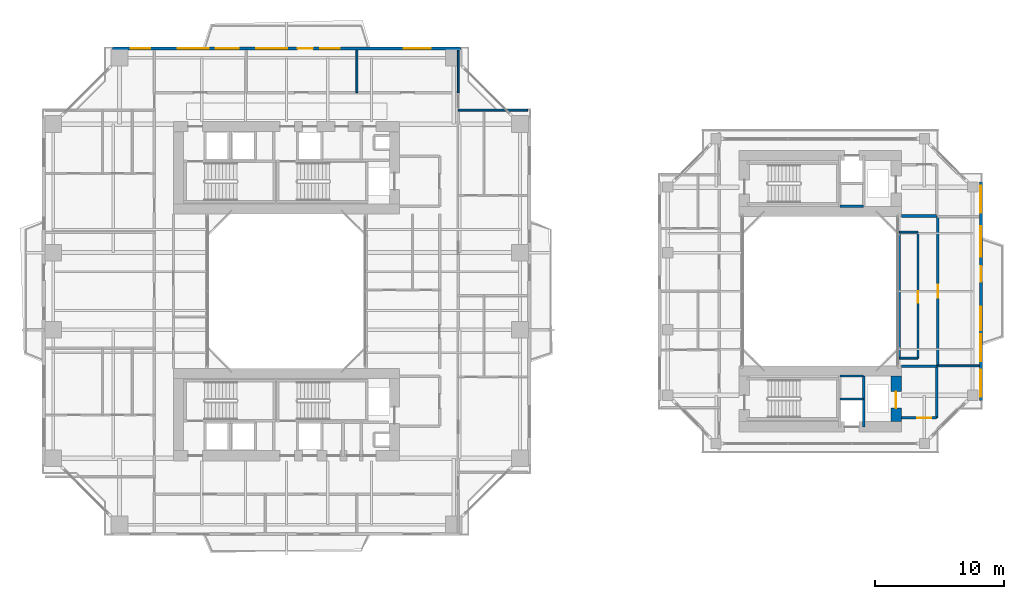
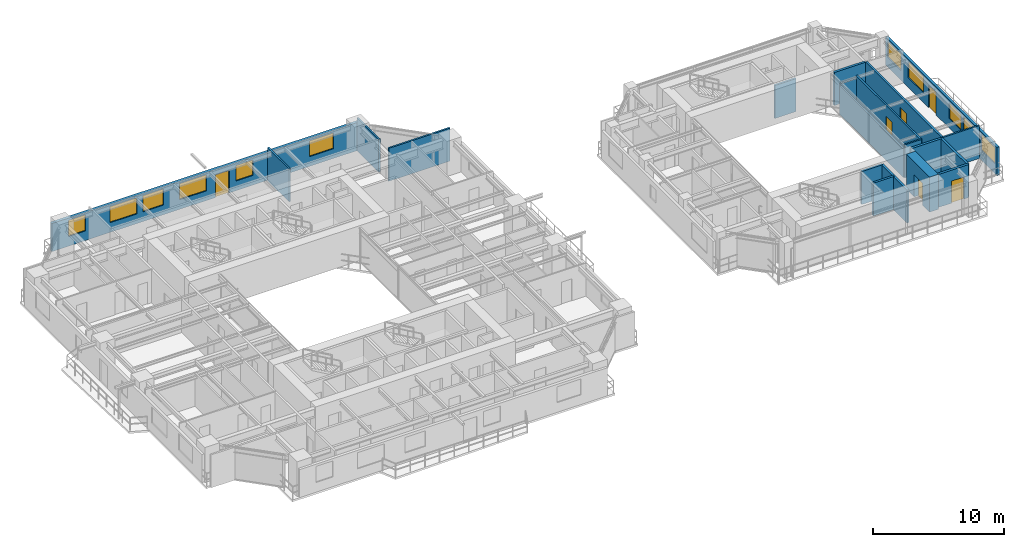
# One storey, part 18 of 23: 20 walls, 11 windows, 6 doors, 17 openings.
"""IFC4 building model written with IfcOpenShell, lengths in metres."""

from ifc_helpers import new_model, si_unit, direction, frame, frame_2d, origin, place, context, subcontext, project, spatial, rectangle, extrude, source, transform, mapped, material, layer, layer_set, type_object, element, fill, save


model = new_model("IFC4")

# Units and contexts
model_context = context("Model", 3, precision=1e-05, world=origin(), true_north=direction((0.0, 1.0)))
body_context = subcontext(model_context, "Body", "Model", "MODEL_VIEW")
ifc_project = project(units=[si_unit("LENGTHUNIT", "METRE"), si_unit("AREAUNIT", "SQUARE_METRE"), si_unit("VOLUMEUNIT", "CUBIC_METRE"), si_unit("PLANEANGLEUNIT", "RADIAN"), si_unit("MASSUNIT", "GRAM", prefix="KILO"), si_unit("THERMODYNAMICTEMPERATUREUNIT", "KELVIN"), si_unit("POWERUNIT", "WATT")], contexts=[model_context])

# Site, building, storey
site_placement = place(None, origin())
site = spatial("IfcSite", under=ifc_project, at=site_placement, CompositionType="ELEMENT")
building_placement = place(site_placement, origin())
building = spatial("IfcBuilding", under=site, at=building_placement, Name="Qiaomeng Ring Towers", CompositionType="ELEMENT")
storey_placement = place(building_placement, frame((0.0, 0.0, 86.0)))
storey = spatial("IfcBuildingStorey", under=building, at=storey_placement, Name="L24", CompositionType="ELEMENT", Elevation=86.0)

# Wall, openings, windows, door
ifc_material_1 = material(Name="Precast concrete C40", Category="concrete")
ifc_layer_1 = layer(ifc_material_1, 0.25, Name="Precast concrete C40")
ifc_layer_set_1 = layer_set([ifc_layer_1], Name="Precast concrete C40")
wall_type_1 = type_object("IfcWallType", Name="ARC-WL-EW1", PredefinedType="STANDARD", material=ifc_layer_set_1)
wall_1_placement = place(storey_placement, frame((5.449951171875, 41.875, 0.0), z_axis=(0.0, 0.0, 1.0), x_axis=(1.0, 0.0, 0.0)))
wall_1 = element("IfcWall", 1, at=wall_1_placement, inside=storey, type_object=wall_type_1, Name="L24 Tower 1 N Exterior Wall", PredefinedType="STANDARD", context=body_context, shape_type="SweptSolid", body=[
    extrude(rectangle(XDim=27.10009765625, YDim=0.25, at=frame_2d((13.550048828125, 0.0))), origin(), (0.0, 0.0, 1.0), 2.610107421875),
])
opening_1_placement = place(wall_1_placement, frame((14.39990234375, 0.0, 0.0)))
opening_1 = element("IfcOpeningElement", 2, at=opening_1_placement, cuts=wall_1, Name="Opening BD1", PredefinedType="OPENING", context=body_context, shape_type="SweptSolid", body=[
    extrude(rectangle(XDim=1.199951171875, YDim=2.10009765625, at=frame_2d((0.60009765625, 1.050048828125))), frame((0.0, 0.135009765625, 0.0), z_axis=(0.0, -1.0, 0.0), x_axis=(1.0, 0.0, 0.0)), (0.0, 0.0, 1.0), 0.27001953125),
])
opening_2_placement = place(wall_1_placement, frame((1.449951171875, 0.0, 0.89990234375)))
opening_2 = element("IfcOpeningElement", 3, at=opening_2_placement, cuts=wall_1, Name="Opening WN2", PredefinedType="OPENING", context=body_context, shape_type="SweptSolid", body=[
    extrude(rectangle(XDim=1.5, YDim=1.5, at=frame_2d((0.75, 0.75))), frame((0.0, 0.135009765625, 0.0), z_axis=(0.0, -1.0, 0.0), x_axis=(1.0, 0.0, 0.0)), (0.0, 0.0, 1.0), 0.27001953125),
])
opening_3_placement = place(wall_1_placement, frame((8.0244140625, 0.0, 0.89990234375)))
opening_3 = element("IfcOpeningElement", 4, at=opening_3_placement, cuts=wall_1, Name="Opening WN1", PredefinedType="OPENING", context=body_context, shape_type="SweptSolid", body=[
    extrude(rectangle(XDim=1.800048828125, YDim=1.5, at=frame_2d((0.89990234375, 0.75))), frame((0.0, 0.135009765625, 0.0), z_axis=(0.0, -1.0, 0.0), x_axis=(1.0, 0.0, 0.0)), (0.0, 0.0, 1.0), 0.27001953125),
])
opening_4_placement = place(wall_1_placement, frame((16.18798828125, 0.0, 0.89990234375)))
opening_4 = element("IfcOpeningElement", 5, at=opening_4_placement, cuts=wall_1, Name="Opening WN2", PredefinedType="OPENING", context=body_context, shape_type="SweptSolid", body=[
    extrude(rectangle(XDim=1.5, YDim=1.449951171875, at=frame_2d((0.75, 0.72509765625))), frame((0.0, 0.135009765625, 0.0), z_axis=(0.0, -1.0, 0.0), x_axis=(1.0, 0.0, 0.0)), (0.0, 0.0, 1.0), 0.27001953125),
])
opening_5_placement = place(wall_1_placement, frame((22.6630859375, 0.0, 0.89990234375)))
opening_5 = element("IfcOpeningElement", 6, at=opening_5_placement, cuts=wall_1, Name="Opening WN4", PredefinedType="OPENING", context=body_context, shape_type="SweptSolid", body=[
    extrude(rectangle(XDim=2.10009765625, YDim=1.47998046875, at=frame_2d((1.050048828125, 0.739990234375))), frame((0.0, 0.135009765625, 0.0), z_axis=(0.0, -1.0, 0.0), x_axis=(1.0, 0.0, 0.0)), (0.0, 0.0, 1.0), 0.27001953125),
])
opening_6_placement = place(wall_1_placement, frame((5.083984375, 0.0, 0.89990234375)))
opening_6 = element("IfcOpeningElement", 7, at=opening_6_placement, cuts=wall_1, Name="Opening WN6", PredefinedType="OPENING", context=body_context, shape_type="SweptSolid", body=[
    extrude(rectangle(XDim=2.39990234375, YDim=1.5, at=frame_2d((1.199951171875, 0.75))), frame((0.0, 0.135009765625, 0.0), z_axis=(0.0, -1.0, 0.0), x_axis=(1.0, 0.0, 0.0)), (0.0, 0.0, 1.0), 0.27001953125),
])
opening_7_placement = place(wall_1_placement, frame((11.20751953125, 0.0, 0.89990234375)))
opening_7 = element("IfcOpeningElement", 8, at=opening_7_placement, cuts=wall_1, Name="Opening WN6", PredefinedType="OPENING", context=body_context, shape_type="SweptSolid", body=[
    extrude(rectangle(XDim=2.39990234375, YDim=1.5, at=frame_2d((1.199951171875, 0.75))), frame((0.0, 0.135009765625, 0.0), z_axis=(0.0, -1.0, 0.0), x_axis=(1.0, 0.0, 0.0)), (0.0, 0.0, 1.0), 0.27001953125),
])
ifc_material_2 = material(Name="Low-E dark-grey laminated double glazing", Category="glass")
window_type_1 = type_object("IfcWindowType", Name="ARC-WN-2", PartitioningType="DOUBLE_PANEL_VERTICAL", PredefinedType="WINDOW", material=ifc_material_2)
shared_shape_1 = source(origin(), body_context, "Body", "SweptSolid", [
    extrude(rectangle(XDim=1.5, YDim=1.449951171875, at=frame_2d((0.75, 0.72509765625))), frame((0.0, 0.030029296875, 0.0), z_axis=(0.0, -1.0, 0.0), x_axis=(1.0, 0.0, 0.0)), (0.0, 0.0, 1.0), 0.06005859375),
])
window_1_placement = place(opening_4_placement, origin())
window_1 = element("IfcWindow", 9, at=window_1_placement, inside=storey, type_object=window_type_1, Name="L24 Exterior Window WN2", OverallHeight=1.449951171875, OverallWidth=1.5, PartitioningType="DOUBLE_PANEL_VERTICAL", PredefinedType="WINDOW", context=body_context, shape_type="MappedRepresentation", body=[
    mapped(shared_shape_1, transform((0.0, 0.0, 0.0), x_axis=(1.0, 0.0, 0.0), y_axis=(0.0, 1.0, 0.0), z_axis=(0.0, 0.0, 1.0), scale=1.0)),
])
fill(opening_4, window_1)
window_type_2 = type_object("IfcWindowType", Name="ARC-WN-4", PartitioningType="TRIPLE_PANEL_VERTICAL", PredefinedType="WINDOW", material=ifc_material_2)
shared_shape_2 = source(origin(), body_context, "Body", "SweptSolid", [
    extrude(rectangle(XDim=2.10009765625, YDim=1.47998046875, at=frame_2d((1.050048828125, 0.739990234375))), frame((0.0, 0.030029296875, 0.0), z_axis=(0.0, -1.0, 0.0), x_axis=(1.0, 0.0, 0.0)), (0.0, 0.0, 1.0), 0.06005859375),
])
window_2_placement = place(opening_5_placement, origin())
window_2 = element("IfcWindow", 10, at=window_2_placement, inside=storey, type_object=window_type_2, Name="L24 Exterior Window WN4", OverallHeight=1.47998046875, OverallWidth=2.10009765625, PartitioningType="TRIPLE_PANEL_VERTICAL", PredefinedType="WINDOW", context=body_context, shape_type="MappedRepresentation", body=[
    mapped(shared_shape_2, transform((0.0, 0.0, 0.0), x_axis=(1.0, 0.0, 0.0), y_axis=(0.0, 1.0, 0.0), z_axis=(0.0, 0.0, 1.0), scale=1.0)),
])
fill(opening_5, window_2)
door_type_1 = type_object("IfcDoorType", Name="ARC-DR-BD1", OperationType="NOTDEFINED", PredefinedType="DOOR", material=ifc_material_2)
shared_shape_3 = source(origin(), body_context, "Body", "SweptSolid", [
    extrude(rectangle(XDim=1.199951171875, YDim=2.10009765625, at=frame_2d((0.60009765625, 1.050048828125))), frame((0.0, 0.02490234375, 0.0), z_axis=(0.0, -1.0, 0.0), x_axis=(1.0, 0.0, 0.0)), (0.0, 0.0, 1.0), 0.050048828125),
])
door_1_placement = place(opening_1_placement, origin())
door_1 = element("IfcDoor", 11, at=door_1_placement, inside=storey, type_object=door_type_1, Name="L24 N Balcony Glazed Door", OperationType="SINGLE_SWING_LEFT", OverallHeight=2.10009765625, OverallWidth=1.199951171875, PredefinedType="DOOR", context=body_context, shape_type="MappedRepresentation", body=[
    mapped(shared_shape_3, transform((0.0, 0.0, 0.0), x_axis=(1.0, 0.0, 0.0), y_axis=(0.0, 1.0, 0.0), z_axis=(0.0, 0.0, 1.0), scale=1.0)),
])
fill(opening_1, door_1)
shared_shape_4 = source(origin(), body_context, "Body", "SweptSolid", [
    extrude(rectangle(XDim=1.5, YDim=1.5, at=frame_2d((0.75, 0.75))), frame((0.0, 0.030029296875, 0.0), z_axis=(0.0, -1.0, 0.0), x_axis=(1.0, 0.0, 0.0)), (0.0, 0.0, 1.0), 0.06005859375),
])
window_3_placement = place(opening_2_placement, origin())
window_3 = element("IfcWindow", 12, at=window_3_placement, inside=storey, type_object=window_type_1, Name="L24 Exterior Window WN6", OverallHeight=1.5, OverallWidth=1.5, PartitioningType="TRIPLE_PANEL_VERTICAL", PredefinedType="WINDOW", context=body_context, shape_type="MappedRepresentation", body=[
    mapped(shared_shape_4, transform((0.0, 0.0, 0.0), x_axis=(1.0, 0.0, 0.0), y_axis=(0.0, 1.0, 0.0), z_axis=(0.0, 0.0, 1.0), scale=1.0)),
])
fill(opening_2, window_3)
window_type_3 = type_object("IfcWindowType", Name="ARC-WN-6", PartitioningType="TRIPLE_PANEL_VERTICAL", PredefinedType="WINDOW", material=ifc_material_2)
shared_shape_5 = source(origin(), body_context, "Body", "SweptSolid", [
    extrude(rectangle(XDim=2.39990234375, YDim=1.5, at=frame_2d((1.199951171875, 0.75))), frame((0.0, 0.030029296875, 0.0), z_axis=(0.0, -1.0, 0.0), x_axis=(1.0, 0.0, 0.0)), (0.0, 0.0, 1.0), 0.06005859375),
])
window_4_placement = place(opening_6_placement, origin())
window_4 = element("IfcWindow", 13, at=window_4_placement, inside=storey, type_object=window_type_3, Name="L24 Exterior Window WN6", OverallHeight=1.5, OverallWidth=2.39990234375, PartitioningType="TRIPLE_PANEL_VERTICAL", PredefinedType="WINDOW", context=body_context, shape_type="MappedRepresentation", body=[
    mapped(shared_shape_5, transform((0.0, 0.0, 0.0), x_axis=(1.0, 0.0, 0.0), y_axis=(0.0, 1.0, 0.0), z_axis=(0.0, 0.0, 1.0), scale=1.0)),
])
fill(opening_6, window_4)
window_5_placement = place(opening_7_placement, origin())
window_5 = element("IfcWindow", 14, at=window_5_placement, inside=storey, type_object=window_type_3, Name="L24 Exterior Window WN6", OverallHeight=1.5, OverallWidth=2.39990234375, PartitioningType="TRIPLE_PANEL_VERTICAL", PredefinedType="WINDOW", context=body_context, shape_type="MappedRepresentation", body=[
    mapped(shared_shape_5, transform((0.0, 0.0, 0.0), x_axis=(1.0, 0.0, 0.0), y_axis=(0.0, 1.0, 0.0), z_axis=(0.0, 0.0, 1.0), scale=1.0)),
])
fill(opening_7, window_5)
window_type_4 = type_object("IfcWindowType", Name="ARC-WN-1", PartitioningType="DOUBLE_PANEL_VERTICAL", PredefinedType="WINDOW", material=ifc_material_2)
shared_shape_6 = source(origin(), body_context, "Body", "SweptSolid", [
    extrude(rectangle(XDim=1.800048828125, YDim=1.5, at=frame_2d((0.89990234375, 0.75))), frame((0.0, 0.030029296875, 0.0), z_axis=(0.0, -1.0, 0.0), x_axis=(1.0, 0.0, 0.0)), (0.0, 0.0, 1.0), 0.06005859375),
])
window_6_placement = place(opening_3_placement, origin())
window_6 = element("IfcWindow", 15, at=window_6_placement, inside=storey, type_object=window_type_4, Name="L24 Exterior Window WN1", OverallHeight=1.5, OverallWidth=1.800048828125, PartitioningType="DOUBLE_PANEL_VERTICAL", PredefinedType="WINDOW", context=body_context, shape_type="MappedRepresentation", body=[
    mapped(shared_shape_6, transform((0.0, 0.0, 0.0), x_axis=(1.0, 0.0, 0.0), y_axis=(0.0, 1.0, 0.0), z_axis=(0.0, 0.0, 1.0), scale=1.0)),
])
fill(opening_3, window_6)

ifc_layer_2 = layer(ifc_material_1, 0.219970703125, Name="Precast concrete C40")
ifc_layer_set_2 = layer_set([ifc_layer_2], Name="Precast concrete C40")
wall_type_2 = type_object("IfcWallType", Name="ARC-WL-EW2", PredefinedType="STANDARD", material=ifc_layer_set_2)
wall_2_placement = place(storey_placement, frame((72.989990234375, 14.5, 0.0), z_axis=(0.0, 0.0, 1.0), x_axis=(0.0, 1.0, 0.0)))
wall_2 = element("IfcWall", 16, at=wall_2_placement, inside=storey, type_object=wall_type_2, Name="L24 Companion East Wall", PredefinedType="STANDARD", context=body_context, shape_type="SweptSolid", body=[
    extrude(rectangle(XDim=17.0, YDim=0.219970703125, at=frame_2d((8.5, 0.0))), origin(), (0.0, 0.0, 1.0), 2.610107421875),
])
opening_8_placement = place(wall_2_placement, frame((9.25, 0.0, 0.0)))
opening_8 = element("IfcOpeningElement", 17, at=opening_8_placement, cuts=wall_2, Name="Opening BD1", PredefinedType="OPENING", context=body_context, shape_type="SweptSolid", body=[
    extrude(rectangle(XDim=1.199951171875, YDim=2.10009765625, at=frame_2d((0.60009765625, 1.050048828125))), frame((0.0, 0.119873046875, 0.0), z_axis=(0.0, -1.0, 0.0), x_axis=(1.0, 0.0, 0.0)), (0.0, 0.0, 1.0), 0.239990234375),
])
opening_9_placement = place(wall_2_placement, frame((0.3076171875, 0.0, 0.89990234375)))
opening_9 = element("IfcOpeningElement", 18, at=opening_9_placement, cuts=wall_2, Name="Opening WN4", PredefinedType="OPENING", context=body_context, shape_type="SweptSolid", body=[
    extrude(rectangle(XDim=2.10009765625, YDim=1.5, at=frame_2d((1.050048828125, 0.75))), frame((0.0, 0.119873046875, 0.0), z_axis=(0.0, -1.0, 0.0), x_axis=(1.0, 0.0, 0.0)), (0.0, 0.0, 1.0), 0.239990234375),
])
opening_10_placement = place(wall_2_placement, frame((5.47509765625, 0.0, 0.89990234375)))
opening_10 = element("IfcOpeningElement", 19, at=opening_10_placement, cuts=wall_2, Name="Opening WN1", PredefinedType="OPENING", context=body_context, shape_type="SweptSolid", body=[
    extrude(rectangle(XDim=1.800048828125, YDim=1.449951171875, at=frame_2d((0.89990234375, 0.72509765625))), frame((0.0, 0.119873046875, 0.0), z_axis=(0.0, -1.0, 0.0), x_axis=(1.0, 0.0, 0.0)), (0.0, 0.0, 1.0), 0.239990234375),
])
opening_11_placement = place(wall_2_placement, frame((14.592529296875, 0.0, 0.89990234375)))
opening_11 = element("IfcOpeningElement", 20, at=opening_11_placement, cuts=wall_2, Name="Opening WN4", PredefinedType="OPENING", context=body_context, shape_type="SweptSolid", body=[
    extrude(rectangle(XDim=2.10009765625, YDim=1.5, at=frame_2d((1.050048828125, 0.75))), frame((0.0, 0.119873046875, 0.0), z_axis=(0.0, -1.0, 0.0), x_axis=(1.0, 0.0, 0.0)), (0.0, 0.0, 1.0), 0.239990234375),
])
opening_12_placement = place(wall_2_placement, frame((3.054931640625, 0.0, 0.89990234375)))
opening_12 = element("IfcOpeningElement", 21, at=opening_12_placement, cuts=wall_2, Name="Opening WN4", PredefinedType="OPENING", context=body_context, shape_type="SweptSolid", body=[
    extrude(rectangle(XDim=2.10009765625, YDim=1.5, at=frame_2d((1.050048828125, 0.75))), frame((0.0, 0.119873046875, 0.0), z_axis=(0.0, -1.0, 0.0), x_axis=(1.0, 0.0, 0.0)), (0.0, 0.0, 1.0), 0.239990234375),
])
opening_13_placement = place(wall_2_placement, frame((11.16748046875, 0.0, 0.89990234375)))
opening_13 = element("IfcOpeningElement", 22, at=opening_13_placement, cuts=wall_2, Name="Opening WN6", PredefinedType="OPENING", context=body_context, shape_type="SweptSolid", body=[
    extrude(rectangle(XDim=2.39990234375, YDim=1.5, at=frame_2d((1.199951171875, 0.75))), frame((0.0, 0.119873046875, 0.0), z_axis=(0.0, -1.0, 0.0), x_axis=(1.0, 0.0, 0.0)), (0.0, 0.0, 1.0), 0.239990234375),
])
shared_shape_7 = source(origin(), body_context, "Body", "SweptSolid", [
    extrude(rectangle(XDim=2.10009765625, YDim=1.5, at=frame_2d((1.050048828125, 0.75))), frame((0.0, 0.030029296875, 0.0), z_axis=(0.0, -1.0, 0.0), x_axis=(1.0, 0.0, 0.0)), (0.0, 0.0, 1.0), 0.06005859375),
])
window_7_placement = place(opening_9_placement, origin())
window_7 = element("IfcWindow", 23, at=window_7_placement, inside=storey, type_object=window_type_2, Name="L24 Exterior Window WN6", OverallHeight=1.5, OverallWidth=2.10009765625, PartitioningType="TRIPLE_PANEL_VERTICAL", PredefinedType="WINDOW", context=body_context, shape_type="MappedRepresentation", body=[
    mapped(shared_shape_7, transform((0.0, 0.0, 0.0), x_axis=(1.0, 0.0, 0.0), y_axis=(0.0, 1.0, 0.0), z_axis=(0.0, 0.0, 1.0), scale=1.0)),
])
fill(opening_9, window_7)
window_8_placement = place(opening_11_placement, origin())
window_8 = element("IfcWindow", 24, at=window_8_placement, inside=storey, type_object=window_type_2, Name="L24 Exterior Window WN4", OverallHeight=1.5, OverallWidth=2.10009765625, PartitioningType="TRIPLE_PANEL_VERTICAL", PredefinedType="WINDOW", context=body_context, shape_type="MappedRepresentation", body=[
    mapped(shared_shape_7, transform((0.0, 0.0, 0.0), x_axis=(1.0, 0.0, 0.0), y_axis=(0.0, 1.0, 0.0), z_axis=(0.0, 0.0, 1.0), scale=1.0)),
])
fill(opening_11, window_8)
window_9_placement = place(opening_12_placement, origin())
window_9 = element("IfcWindow", 25, at=window_9_placement, inside=storey, type_object=window_type_2, Name="L24 Exterior Window WN4", OverallHeight=1.5, OverallWidth=2.10009765625, PartitioningType="TRIPLE_PANEL_VERTICAL", PredefinedType="WINDOW", context=body_context, shape_type="MappedRepresentation", body=[
    mapped(shared_shape_7, transform((0.0, 0.0, 0.0), x_axis=(1.0, 0.0, 0.0), y_axis=(0.0, 1.0, 0.0), z_axis=(0.0, 0.0, 1.0), scale=1.0)),
])
fill(opening_12, window_9)
shared_shape_8 = source(origin(), body_context, "Body", "SweptSolid", [
    extrude(rectangle(XDim=1.800048828125, YDim=1.449951171875, at=frame_2d((0.89990234375, 0.72509765625))), frame((0.0, 0.030029296875, 0.0), z_axis=(0.0, -1.0, 0.0), x_axis=(1.0, 0.0, 0.0)), (0.0, 0.0, 1.0), 0.06005859375),
])
window_10_placement = place(opening_10_placement, origin())
window_10 = element("IfcWindow", 26, at=window_10_placement, inside=storey, type_object=window_type_4, Name="L24 Exterior Window WN1", OverallHeight=1.449951171875, OverallWidth=1.800048828125, PartitioningType="DOUBLE_PANEL_VERTICAL", PredefinedType="WINDOW", context=body_context, shape_type="MappedRepresentation", body=[
    mapped(shared_shape_8, transform((0.0, 0.0, 0.0), x_axis=(1.0, 0.0, 0.0), y_axis=(0.0, 1.0, 0.0), z_axis=(0.0, 0.0, 1.0), scale=1.0)),
])
fill(opening_10, window_10)
door_2_placement = place(opening_8_placement, origin())
door_2 = element("IfcDoor", 27, at=door_2_placement, inside=storey, type_object=door_type_1, Name="L24 Companion East Balcony Door", OperationType="SINGLE_SWING_LEFT", OverallHeight=2.10009765625, OverallWidth=1.199951171875, PredefinedType="DOOR", context=body_context, shape_type="MappedRepresentation", body=[
    mapped(shared_shape_3, transform((0.0, 0.0, 0.0), x_axis=(1.0, 0.0, 0.0), y_axis=(0.0, 1.0, 0.0), z_axis=(0.0, 0.0, 1.0), scale=1.0)),
])
fill(opening_8, door_2)
window_11_placement = place(opening_13_placement, origin())
window_11 = element("IfcWindow", 28, at=window_11_placement, inside=storey, type_object=window_type_3, Name="L24 Exterior Window WN6", OverallHeight=1.5, OverallWidth=2.39990234375, PartitioningType="TRIPLE_PANEL_VERTICAL", PredefinedType="WINDOW", context=body_context, shape_type="MappedRepresentation", body=[
    mapped(shared_shape_5, transform((0.0, 0.0, 0.0), x_axis=(1.0, 0.0, 0.0), y_axis=(0.0, 1.0, 0.0), z_axis=(0.0, 0.0, 1.0), scale=1.0)),
])
fill(opening_13, window_11)

# Walls
ifc_material_3 = material(Name="Autoclaved aerated concrete block", Category="concrete")
ifc_layer_3 = layer(ifc_material_3, 0.199951171875, Name="Autoclaved aerated concrete block")
ifc_layer_set_3 = layer_set([ifc_layer_3], Name="Autoclaved aerated concrete block")
wall_type_3 = type_object("IfcWallType", Name="ARC-WL-PW1", PredefinedType="PARTITIONING", material=ifc_layer_set_3)
for number, where, z_axis, x_axis, name in (
    (29, (66.800048828125, 28.85009765625, 0.0), (0.0, 0.0, 1.0), (1.0, 0.0, 0.0), "L24 Interior Wall PW1"),
    (30, (66.800048828125, 17.14990234375, 0.0), (0.0, 0.0, 1.0), (1.0, 0.0, 0.0), "L24 Interior Wall PW1"),
):
    element("IfcWall", number, at=place(storey_placement, frame(where, z_axis=z_axis, x_axis=x_axis)), inside=storey, type_object=wall_type_3, Name=name, PredefinedType="PARTITIONING", context=body_context, shape_type="SweptSolid", body=[
        extrude(rectangle(XDim=2.75, YDim=0.199951171875, at=frame_2d((1.375, 0.0))), origin(), (0.0, 0.0, 1.0), 3.070068359375),
    ])
wall_3_placement = place(storey_placement, frame((69.550048828125, 13.14990234375, 0.0), z_axis=(0.0, 0.0, 1.0), x_axis=(0.0, 1.0, 0.0)))
element("IfcWall", 31, at=wall_3_placement, inside=storey, type_object=wall_type_3, Name="L24 Interior Wall PW1", PredefinedType="PARTITIONING", context=body_context, shape_type="SweptSolid", body=[
    extrude(rectangle(XDim=4.0, YDim=0.199951171875, at=frame_2d((2.0, 0.0))), origin(), (0.0, 0.0, 1.0), 3.070068359375),
])

# Wall, opening, door
wall_4_placement = place(storey_placement, frame((66.800048828125, 13.14990234375, 0.0), z_axis=(0.0, 0.0, 1.0), x_axis=(1.0, 0.0, 0.0)))
wall_4 = element("IfcWall", 32, at=wall_4_placement, inside=storey, type_object=wall_type_3, Name="L24 Interior Wall PW1", PredefinedType="PARTITIONING", context=body_context, shape_type="SweptSolid", body=[
    extrude(rectangle(XDim=2.75, YDim=0.199951171875, at=frame_2d((1.375, 0.0))), origin(), (0.0, 0.0, 1.0), 3.070068359375),
])
opening_14_placement = place(wall_4_placement, frame((1.25, 0.0, 0.0)))
opening_14 = element("IfcOpeningElement", 33, at=opening_14_placement, cuts=wall_4, Name="Opening FD3", PredefinedType="OPENING", context=body_context, shape_type="SweptSolid", body=[
    extrude(rectangle(XDim=1.10009765625, YDim=2.050048828125, at=frame_2d((0.550048828125, 1.02490234375))), frame((0.0, 0.10986328125, 0.0), z_axis=(0.0, -1.0, 0.0), x_axis=(1.0, 0.0, 0.0)), (0.0, 0.0, 1.0), 0.219970703125),
])
ifc_material_4 = material(Name="Galvanised steel", Category="steel")
door_type_2 = type_object("IfcDoorType", Name="ARC-DR-FD3", OperationType="NOTDEFINED", PredefinedType="DOOR", material=ifc_material_4)
shared_shape_9 = source(origin(), body_context, "Body", "SweptSolid", [
    extrude(rectangle(XDim=1.10009765625, YDim=2.050048828125, at=frame_2d((0.550048828125, 1.02490234375))), frame((0.0, 0.02490234375, 0.0), z_axis=(0.0, -1.0, 0.0), x_axis=(1.0, 0.0, 0.0)), (0.0, 0.0, 1.0), 0.050048828125),
])
door_3_placement = place(opening_14_placement, origin())
door_3 = element("IfcDoor", 34, at=door_3_placement, inside=storey, type_object=door_type_2, Name="L24 Door FD3", OperationType="SINGLE_SWING_RIGHT", OverallHeight=2.050048828125, OverallWidth=1.10009765625, PredefinedType="DOOR", context=body_context, shape_type="MappedRepresentation", body=[
    mapped(shared_shape_9, transform((0.0, 0.0, 0.0), x_axis=(1.0, 0.0, 0.0), y_axis=(0.0, 1.0, 0.0), z_axis=(0.0, 0.0, 1.0), scale=1.0)),
])
fill(opening_14, door_3)

ifc_layer_4 = layer(ifc_material_3, 0.179931640625, Name="Autoclaved aerated concrete block")
ifc_layer_set_4 = layer_set([ifc_layer_4], Name="Autoclaved aerated concrete block")
wall_type_4 = type_object("IfcWallType", Name="ARC-WL-PW2", PredefinedType="PARTITIONING", material=ifc_layer_set_4)
wall_5_placement = place(storey_placement, frame((69.64990234375, 17.199951171875, 0.0), z_axis=(0.0, 0.0, 1.0), x_axis=(0.0, 1.0, 0.0)))
wall_5 = element("IfcWall", 35, at=wall_5_placement, inside=storey, type_object=wall_type_4, Name="L24 Interior Wall PW2", PredefinedType="PARTITIONING", context=body_context, shape_type="SweptSolid", body=[
    extrude(rectangle(XDim=11.60009765625, YDim=0.179931640625, at=frame_2d((5.800048828125, 0.0))), origin(), (0.0, 0.0, 1.0), 3.070068359375),
])
opening_15_placement = place(wall_5_placement, frame((5.300048828125, 0.0, 0.0)))
opening_15 = element("IfcOpeningElement", 36, at=opening_15_placement, cuts=wall_5, Name="Opening FD4", PredefinedType="OPENING", context=body_context, shape_type="SweptSolid", body=[
    extrude(rectangle(XDim=1.0, YDim=2.050048828125, at=frame_2d((0.5, 1.02490234375))), frame((0.0, 0.099853515625, 0.0), z_axis=(0.0, -1.0, 0.0), x_axis=(1.0, 0.0, 0.0)), (0.0, 0.0, 1.0), 0.199951171875),
])
ifc_material_5 = material(Name="Engineered fire-rated oak timber", Category="wood")
door_type_3 = type_object("IfcDoorType", Name="ARC-DR-FD4", OperationType="NOTDEFINED", PredefinedType="DOOR", material=ifc_material_5)
shared_shape_10 = source(origin(), body_context, "Body", "SweptSolid", [
    extrude(rectangle(XDim=1.0, YDim=2.050048828125, at=frame_2d((0.5, 1.02490234375))), frame((0.0, 0.02490234375, 0.0), z_axis=(0.0, -1.0, 0.0), x_axis=(1.0, 0.0, 0.0)), (0.0, 0.0, 1.0), 0.050048828125),
])
door_4_placement = place(opening_15_placement, origin())
door_4 = element("IfcDoor", 37, at=door_4_placement, inside=storey, type_object=door_type_3, Name="L24 Door FD4", OperationType="SINGLE_SWING_RIGHT", OverallHeight=2.050048828125, OverallWidth=1.0, PredefinedType="DOOR", context=body_context, shape_type="MappedRepresentation", body=[
    mapped(shared_shape_10, transform((0.0, 0.0, 0.0), x_axis=(1.0, 0.0, 0.0), y_axis=(0.0, 1.0, 0.0), z_axis=(0.0, 0.0, 1.0), scale=1.0)),
])
fill(opening_15, door_4)

# Walls
ifc_material_6 = material(Name="Gypsum fireboard steel-stud partition", Category="steel")
ifc_layer_5 = layer(ifc_material_6, 0.14990234375, Name="Gypsum fireboard steel-stud partition")
ifc_layer_set_5 = layer_set([ifc_layer_5], Name="Gypsum fireboard steel-stud partition")
wall_type_5 = type_object("IfcWallType", Name="ARC-WL-PW3", PredefinedType="PARTITIONING", material=ifc_layer_set_5)
for number, where, z_axis, x_axis, name in (
    (38, (24.469970703125, 38.43994140625, 0.0), (0.0, 0.0, 1.0), (0.0, 1.0, 0.0), "L24 Interior Wall PW3"),
    (39, (32.35009765625, 38.43994140625, 0.0), (0.0, 0.0, 1.0), (0.0, 1.0, 0.0), "L24 Interior Wall PW3"),
):
    element("IfcWall", number, at=place(storey_placement, frame(where, z_axis=z_axis, x_axis=x_axis)), inside=storey, type_object=wall_type_5, Name=name, PredefinedType="PARTITIONING", context=body_context, shape_type="SweptSolid", body=[
        extrude(rectangle(XDim=3.31005859375, YDim=0.14990234375, at=frame_2d((1.655029296875, 0.0))), origin(), (0.0, 0.0, 1.0), 3.070068359375),
    ])
wall_6_placement = place(storey_placement, frame((32.35009765625, 37.080078125, 0.0), z_axis=(0.0, 0.0, 1.0), x_axis=(1.0, 0.0, 0.0)))
element("IfcWall", 40, at=wall_6_placement, inside=storey, type_object=wall_type_5, Name="L24 Interior Wall PW3", PredefinedType="PARTITIONING", context=body_context, shape_type="SweptSolid", body=[
    extrude(rectangle(XDim=5.39990234375, YDim=0.14990234375, at=frame_2d((2.699951171875, 0.0))), origin(), (0.0, 0.0, 1.0), 3.070068359375),
])
wall_7_placement = place(storey_placement, frame((69.64990234375, 17.199951171875, 0.0), z_axis=(0.0, 0.0, 1.0), x_axis=(1.0, 0.0, 0.0)))
element("IfcWall", 41, at=wall_7_placement, inside=storey, type_object=wall_type_5, Name="L24 Interior Wall PW3", PredefinedType="PARTITIONING", context=body_context, shape_type="SweptSolid", body=[
    extrude(rectangle(XDim=3.2001953125, YDim=0.14990234375, at=frame_2d((1.60009765625, 0.0))), origin(), (0.0, 0.0, 1.0), 3.070068359375),
])

# Wall, opening, door
wall_8_placement = place(storey_placement, frame((68.10009765625, 17.800048828125, 0.0), z_axis=(0.0, 0.0, 1.0), x_axis=(0.0, 1.0, 0.0)))
wall_8 = element("IfcWall", 42, at=wall_8_placement, inside=storey, type_object=wall_type_5, Name="L24 Interior Wall PW3", PredefinedType="PARTITIONING", context=body_context, shape_type="SweptSolid", body=[
    extrude(rectangle(XDim=9.800048828125, YDim=0.14990234375, at=frame_2d((4.89990234375, 0.0))), origin(), (0.0, 0.0, 1.0), 3.070068359375),
])
opening_16_placement = place(wall_8_placement, frame((4.300048828125, 0.0, 0.0)))
opening_16 = element("IfcOpeningElement", 43, at=opening_16_placement, cuts=wall_8, Name="Opening ID1", PredefinedType="OPENING", context=body_context, shape_type="SweptSolid", body=[
    extrude(rectangle(XDim=0.89990234375, YDim=2.050048828125, at=frame_2d((0.449951171875, 1.02490234375))), frame((0.0, 0.0849609375, 0.0), z_axis=(0.0, -1.0, 0.0), x_axis=(1.0, 0.0, 0.0)), (0.0, 0.0, 1.0), 0.169921875),
])
ifc_material_7 = material(Name="Engineered oak timber", Category="wood")
door_type_4 = type_object("IfcDoorType", Name="ARC-DR-ID1", OperationType="NOTDEFINED", PredefinedType="DOOR", material=ifc_material_7)
shared_shape_11 = source(origin(), body_context, "Body", "SweptSolid", [
    extrude(rectangle(XDim=0.89990234375, YDim=2.050048828125, at=frame_2d((0.449951171875, 1.02490234375))), frame((0.0, 0.02490234375, 0.0), z_axis=(0.0, -1.0, 0.0), x_axis=(1.0, 0.0, 0.0)), (0.0, 0.0, 1.0), 0.050048828125),
])
door_5_placement = place(opening_16_placement, origin())
door_5 = element("IfcDoor", 44, at=door_5_placement, inside=storey, type_object=door_type_4, Name="L24 Door ID1", OperationType="SINGLE_SWING_LEFT", OverallHeight=2.050048828125, OverallWidth=0.89990234375, PredefinedType="DOOR", context=body_context, shape_type="MappedRepresentation", body=[
    mapped(shared_shape_11, transform((0.0, 0.0, 0.0), x_axis=(1.0, 0.0, 0.0), y_axis=(0.0, 1.0, 0.0), z_axis=(0.0, 0.0, 1.0), scale=1.0)),
])
fill(opening_16, door_5)

# Walls
wall_9_placement = place(storey_placement, frame((66.64990234375, 27.60009765625, 0.0), z_axis=(0.0, 0.0, 1.0), x_axis=(1.0, 0.0, 0.0)))
element("IfcWall", 45, at=wall_9_placement, inside=storey, type_object=wall_type_5, Name="L24 Interior Wall PW3", PredefinedType="PARTITIONING", context=body_context, shape_type="SweptSolid", body=[
    extrude(rectangle(XDim=1.4501953125, YDim=0.14990234375, at=frame_2d((0.72509765625, 0.0))), origin(), (0.0, 0.0, 1.0), 2.81494140625),
])
wall_10_placement = place(storey_placement, frame((66.64990234375, 17.800048828125, 0.0), z_axis=(0.0, 0.0, 1.0), x_axis=(1.0, 0.0, 0.0)))
element("IfcWall", 46, at=wall_10_placement, inside=storey, type_object=wall_type_5, Name="L24 Interior Wall PW3", PredefinedType="PARTITIONING", context=body_context, shape_type="SweptSolid", body=[
    extrude(rectangle(XDim=1.4501953125, YDim=0.14990234375, at=frame_2d((0.72509765625, 0.0))), origin(), (0.0, 0.0, 1.0), 3.070068359375),
])
wall_11_placement = place(storey_placement, frame((66.64990234375, 17.800048828125, 0.0), z_axis=(0.0, 0.0, 1.0), x_axis=(0.0, 1.0, 0.0)))
element("IfcWall", 47, at=wall_11_placement, inside=storey, type_object=wall_type_5, Name="L24 Interior Wall PW3", PredefinedType="PARTITIONING", context=body_context, shape_type="SweptSolid", body=[
    extrude(rectangle(XDim=9.800048828125, YDim=0.14990234375, at=frame_2d((4.89990234375, 0.0))), origin(), (0.0, 0.0, 1.0), 2.6650390625),
])
ifc_material_8 = material(Name="Concrete C40", Category="concrete")
ifc_layer_6 = layer(ifc_material_8, 0.199951171875, Name="Concrete C40")
ifc_layer_set_6 = layer_set([ifc_layer_6], Name="Concrete C40")
wall_type_6 = type_object("IfcWallType", Name="STR-WL-STSHAFT", PredefinedType="SHEAR", material=ifc_layer_set_6)
wall_12_placement = place(storey_placement, frame((62.02001953125, 29.60009765625, 0.0), z_axis=(0.0, 0.0, 1.0), x_axis=(1.0, 0.0, 0.0)))
element("IfcWall", 48, at=wall_12_placement, inside=storey, type_object=wall_type_6, Name="L24 Companion Riser Shaft Back Wall N", PredefinedType="SHEAR", context=body_context, shape_type="SweptSolid", body=[
    extrude(rectangle(XDim=1.85986328125, YDim=0.179931640625, at=frame_2d((0.929931640625, 0.0))), origin(), (0.0, 0.0, 1.0), 3.070068359375),
])
wall_13_placement = place(storey_placement, frame((63.8798828125, 12.449951171875, 0.0), z_axis=(0.0, 0.0, 1.0), x_axis=(0.0, 1.0, 0.0)))
element("IfcWall", 49, at=wall_13_placement, inside=storey, type_object=wall_type_6, Name="L24 Companion Lift Shaft East Wall S", PredefinedType="SHEAR", context=body_context, shape_type="SweptSolid", body=[
    extrude(rectangle(XDim=3.949951171875, YDim=0.179931640625, at=frame_2d((1.97509765625, 0.0))), origin(), (0.0, 0.0, 1.0), 3.070068359375),
])
for number, where, z_axis, x_axis, name in (
    (50, (62.02001953125, 14.6201171875, 0.0), (0.0, 0.0, 1.0), (1.0, 0.0, 0.0), "L24 Companion Lift Shaft Divider Wall S"),
    (51, (62.02001953125, 16.39990234375, 0.0), (0.0, 0.0, 1.0), (1.0, 0.0, 0.0), "L24 Companion Riser Shaft Back Wall S"),
):
    element("IfcWall", number, at=place(storey_placement, frame(where, z_axis=z_axis, x_axis=x_axis)), inside=storey, type_object=wall_type_6, Name=name, PredefinedType="SHEAR", context=body_context, shape_type="SweptSolid", body=[
        extrude(rectangle(XDim=1.85986328125, YDim=0.179931640625, at=frame_2d((0.929931640625, 0.0))), origin(), (0.0, 0.0, 1.0), 3.070068359375),
    ])

# Wall, opening, door
ifc_material_9 = material(Name="Concrete C60", Category="concrete")
ifc_layer_7 = layer(ifc_material_9, 0.800048828125, Name="Concrete C60")
ifc_layer_set_7 = layer_set([ifc_layer_7], Name="Concrete C60")
wall_type_7 = type_object("IfcWallType", Name="STR-WL-SW1", PredefinedType="SHEAR", material=ifc_layer_set_7)
wall_14_placement = place(storey_placement, frame((66.39990234375, 12.85009765625, 0.0), z_axis=(0.0, 0.0, 1.0), x_axis=(0.0, 1.0, 0.0)))
wall_14 = element("IfcWall", 52, at=wall_14_placement, inside=storey, type_object=wall_type_7, Name="L24 T2SC east core shear wall", PredefinedType="SHEAR", context=body_context, shape_type="SweptSolid", body=[
    extrude(rectangle(XDim=3.5498046875, YDim=0.800048828125, at=frame_2d((1.77490234375, 0.0))), origin(), (0.0, 0.0, 1.0), 3.25),
])
opening_17_placement = place(wall_14_placement, frame((1.050048828125, 0.0, 0.0)))
opening_17 = element("IfcOpeningElement", 53, at=opening_17_placement, cuts=wall_14, Name="Opening LD2", PredefinedType="OPENING", context=body_context, shape_type="SweptSolid", body=[
    extrude(rectangle(XDim=1.300048828125, YDim=2.050048828125, at=frame_2d((0.64990234375, 1.02490234375))), frame((0.0, 0.409912109375, 0.0), z_axis=(0.0, -1.0, 0.0), x_axis=(1.0, 0.0, 0.0)), (0.0, 0.0, 1.0), 0.820068359375),
])
ifc_material_10 = material(Name="Stainless steel 316", Category="steel")
door_type_5 = type_object("IfcDoorType", Name="ARC-DR-LD2", OperationType="NOTDEFINED", PredefinedType="DOOR", material=ifc_material_10)
shared_shape_12 = source(origin(), body_context, "Body", "SweptSolid", [
    extrude(rectangle(XDim=1.300048828125, YDim=2.050048828125, at=frame_2d((0.64990234375, 1.02490234375))), frame((0.0, 0.02490234375, 0.0), z_axis=(0.0, -1.0, 0.0), x_axis=(1.0, 0.0, 0.0)), (0.0, 0.0, 1.0), 0.050048828125),
])
door_6_placement = place(opening_17_placement, origin())
door_6 = element("IfcDoor", 54, at=door_6_placement, inside=storey, type_object=door_type_5, Name="L24 Firefighting Lift FL4 Landing Door", OperationType="SLIDING_TO_RIGHT", OverallHeight=2.050048828125, OverallWidth=1.300048828125, PredefinedType="DOOR", context=body_context, shape_type="MappedRepresentation", body=[
    mapped(shared_shape_12, transform((0.0, 0.0, 0.0), x_axis=(1.0, 0.0, 0.0), y_axis=(0.0, 1.0, 0.0), z_axis=(0.0, 0.0, 1.0), scale=1.0)),
])
fill(opening_17, door_6)

save(model, "model.ifc")
